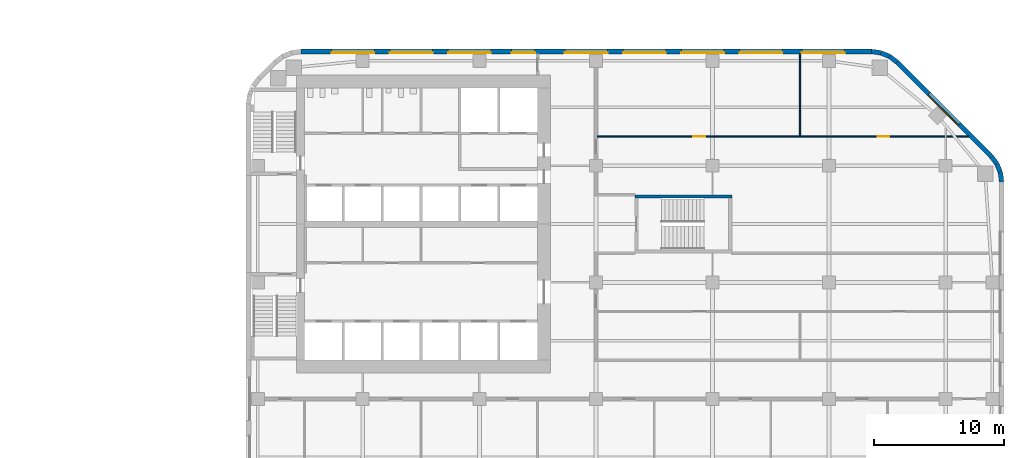
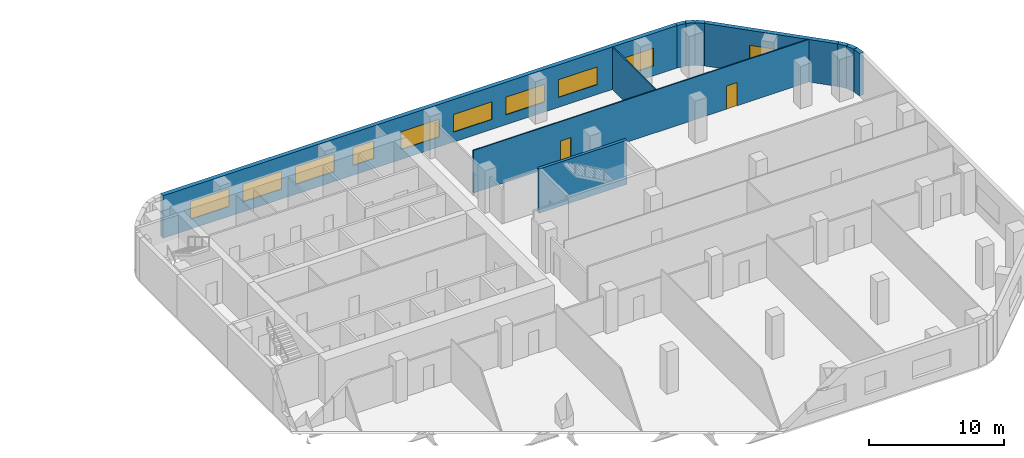
# One storey, part 11 of 15: 11 walls, 10 windows, 2 doors, 12 openings.
"""IFC4 building model written with IfcOpenShell, lengths in metres."""

from ifc_helpers import new_model, si_unit, direction, frame, frame_2d, origin, place, context, subcontext, project, spatial, rectangle, extrude, material, layer, layer_set, type_object, element, fill, save


model = new_model("IFC4")

# Units and contexts
model_context = context("Model", 3, precision=1e-05, world=origin(), true_north=direction((0.0, 1.0)))
body_context = subcontext(model_context, "Body", "Model", "MODEL_VIEW")
ifc_project = project(units=[si_unit("LENGTHUNIT", "METRE"), si_unit("AREAUNIT", "SQUARE_METRE"), si_unit("VOLUMEUNIT", "CUBIC_METRE"), si_unit("PLANEANGLEUNIT", "RADIAN"), si_unit("MASSUNIT", "GRAM", prefix="KILO")], contexts=[model_context])

# Site, building, storey
site_placement = place(None, origin())
site = spatial("IfcSite", under=ifc_project, at=site_placement, CompositionType="ELEMENT")
building_placement = place(site_placement, origin())
building = spatial("IfcBuilding", under=site, at=building_placement, Name="Cinnabar Reach Civic Tower", CompositionType="ELEMENT")
storey_placement = place(building_placement, frame((0.0, 0.0, 87.0)))
storey = spatial("IfcBuildingStorey", under=building, at=storey_placement, Name="L20", CompositionType="ELEMENT", Elevation=87.0)

# Walls
ifc_material_1 = material(Name="Facing brick with insulated backing", Category="masonry")
ifc_layer_1 = layer(ifc_material_1, 0.36)
ifc_layer_set_1 = layer_set([ifc_layer_1], Name="Brick corner wall")
wall_type_1 = type_object("IfcWallType", Name="Brick corner wall", PredefinedType="STANDARD", material=ifc_layer_set_1)
for number, where, z_axis, x_axis, name in (
    (1, (58.317, 34.7686, 0.0), (0.0, 0.0, 1.0), (-0.13055608231, 0.99144092581, 0.0), "Brick corner wall"),
    (2, (58.2181, 35.4973, 0.0), (0.0, 0.0, 1.0), (-0.382702709855, 0.923871547278, 0.0), "Brick corner wall"),
):
    element("IfcWall", number, at=place(storey_placement, frame(where, z_axis=z_axis, x_axis=x_axis)), inside=storey, type_object=wall_type_1, Name=name, PredefinedType="STANDARD", context=body_context, shape_type="SweptSolid", body=[
        extrude(rectangle(XDim=0.7131, YDim=0.36, at=frame_2d((0.3565, 0.0))), origin(), (0.0, 0.0, 1.0), 3.85),
    ])
for number, where, z_axis, x_axis, name in (
    (3, (57.934, 36.1755, 0.0), (0.0, 0.0, 1.0), (-0.608802368033, 0.793321924995, 0.0), "Brick corner wall"),
    (4, (50.2413, 43.9998, 0.0), (0.0, 0.0, 1.0), (-0.793321924995, 0.608802368033, 0.0), "Brick corner wall"),
):
    element("IfcWall", number, at=place(storey_placement, frame(where, z_axis=z_axis, x_axis=x_axis)), inside=storey, type_object=wall_type_1, Name=name, PredefinedType="STANDARD", context=body_context, shape_type="SweptSolid", body=[
        extrude(rectangle(XDim=0.7132, YDim=0.36, at=frame_2d((0.3566, 0.0))), origin(), (0.0, 0.0, 1.0), 3.85),
    ])
for number, where, z_axis, x_axis, name in (
    (5, (49.6561, 44.4452, 0.0), (0.0, 0.0, 1.0), (-0.923871547278, 0.382702709855, 0.0), "Brick corner wall"),
    (6, (48.9756, 44.7239, 0.0), (0.0, 0.0, 1.0), (-0.99144092581, 0.13055608231, 0.0), "Brick corner wall"),
):
    element("IfcWall", number, at=place(storey_placement, frame(where, z_axis=z_axis, x_axis=x_axis)), inside=storey, type_object=wall_type_1, Name=name, PredefinedType="STANDARD", context=body_context, shape_type="SweptSolid", body=[
        extrude(rectangle(XDim=0.7131, YDim=0.36, at=frame_2d((0.3565, 0.0))), origin(), (0.0, 0.0, 1.0), 3.85),
    ])

# Wall, opening, window
ifc_layer_2 = layer(ifc_material_1, 0.36)
ifc_layer_set_2 = layer_set([ifc_layer_2], Name="Brick pier and spandrel wall")
wall_type_2 = type_object("IfcWallType", Name="Brick pier and spandrel wall", PredefinedType="STANDARD", material=ifc_layer_set_2)
wall_1_placement = place(storey_placement, frame((57.494, 36.7514, 0.0), z_axis=(0.0, 0.0, 1.0), x_axis=(-0.707106781187, 0.707106781187, 0.0)))
wall_1 = element("IfcWall", 7, at=wall_1_placement, inside=storey, type_object=wall_type_2, Name="Brick facade wall", PredefinedType="STANDARD", context=body_context, shape_type="SweptSolid", body=[
    extrude(rectangle(XDim=10.2426, YDim=0.36, at=frame_2d((5.1213, 0.0))), origin(), (0.0, 0.0, 1.0), 3.85),
])
opening_1_placement = place(wall_1_placement, frame((3.4713, 0.0, 0.9)))
opening_1 = element("IfcOpeningElement", 8, at=opening_1_placement, cuts=wall_1, Name="Opening W1416", PredefinedType="OPENING", context=body_context, shape_type="SweptSolid", body=[
    extrude(rectangle(XDim=3.3, YDim=1.6, at=frame_2d((1.65, 0.8))), frame((0.0, 0.19, 0.0), z_axis=(0.0, -1.0, 0.0), x_axis=(1.0, 0.0, 0.0)), (0.0, 0.0, 1.0), 0.38),
])
ifc_material_2 = material(Name="Clear double glazing in aluminium frame", Category="aluminium")
window_type_1 = type_object("IfcWindowType", Name="Deep-set window A", PartitioningType="SINGLE_PANEL", PredefinedType="WINDOW", material=ifc_material_2)
window_1_placement = place(opening_1_placement, origin())
window_1 = element("IfcWindow", 9, at=window_1_placement, inside=storey, type_object=window_type_1, Name="Window northeast face", OverallHeight=1.6, OverallWidth=3.3, PartitioningType="SINGLE_PANEL", PredefinedType="WINDOW", context=body_context, shape_type="SweptSolid", body=[
    extrude(rectangle(XDim=3.3, YDim=1.6, at=frame_2d((1.65, 0.8))), frame((0.0, 0.13, 0.0), z_axis=(0.0, -1.0, 0.0), x_axis=(1.0, 0.0, 0.0)), (0.0, 0.0, 1.0), 0.06),
])
fill(opening_1, window_1)

# Wall, openings, windows
wall_2_placement = place(storey_placement, frame((48.2574, 44.82, 0.0), z_axis=(0.0, 0.0, 1.0), x_axis=(-1.0, 0.0, 0.0)))
wall_2 = element("IfcWall", 10, at=wall_2_placement, inside=storey, type_object=wall_type_2, Name="Brick facade wall", PredefinedType="STANDARD", context=body_context, shape_type="SweptSolid", body=[
    extrude(rectangle(XDim=44.0148, YDim=0.36, at=frame_2d((22.0074, 0.0))), origin(), (0.0, 0.0, 1.0), 3.85),
])
opening_2_placement = place(wall_2_placement, frame((2.0574, 0.0, 0.9)))
opening_2 = element("IfcOpeningElement", 11, at=opening_2_placement, cuts=wall_2, Name="Opening W1417", PredefinedType="OPENING", context=body_context, shape_type="SweptSolid", body=[
    extrude(rectangle(XDim=3.3, YDim=1.6, at=frame_2d((1.65, 0.8))), frame((0.0, 0.19, 0.0), z_axis=(0.0, -1.0, 0.0), x_axis=(1.0, 0.0, 0.0)), (0.0, 0.0, 1.0), 0.38),
])
opening_3_placement = place(wall_2_placement, frame((6.8574, 0.0, 0.9)))
opening_3 = element("IfcOpeningElement", 12, at=opening_3_placement, cuts=wall_2, Name="Opening W1418", PredefinedType="OPENING", context=body_context, shape_type="SweptSolid", body=[
    extrude(rectangle(XDim=3.3, YDim=1.6, at=frame_2d((1.65, 0.8))), frame((0.0, 0.19, 0.0), z_axis=(0.0, -1.0, 0.0), x_axis=(1.0, 0.0, 0.0)), (0.0, 0.0, 1.0), 0.38),
])
opening_4_placement = place(wall_2_placement, frame((11.3574, 0.0, 0.9)))
opening_4 = element("IfcOpeningElement", 13, at=opening_4_placement, cuts=wall_2, Name="Opening W1419", PredefinedType="OPENING", context=body_context, shape_type="SweptSolid", body=[
    extrude(rectangle(XDim=3.3, YDim=1.6, at=frame_2d((1.65, 0.8))), frame((0.0, 0.19, 0.0), z_axis=(0.0, -1.0, 0.0), x_axis=(1.0, 0.0, 0.0)), (0.0, 0.0, 1.0), 0.38),
])
opening_5_placement = place(wall_2_placement, frame((15.8574, 0.0, 0.9)))
opening_5 = element("IfcOpeningElement", 14, at=opening_5_placement, cuts=wall_2, Name="Opening W1420", PredefinedType="OPENING", context=body_context, shape_type="SweptSolid", body=[
    extrude(rectangle(XDim=3.3, YDim=1.6, at=frame_2d((1.65, 0.8))), frame((0.0, 0.19, 0.0), z_axis=(0.0, -1.0, 0.0), x_axis=(1.0, 0.0, 0.0)), (0.0, 0.0, 1.0), 0.38),
])
opening_6_placement = place(wall_2_placement, frame((20.3574, 0.0, 0.9)))
opening_6 = element("IfcOpeningElement", 15, at=opening_6_placement, cuts=wall_2, Name="Opening W1421", PredefinedType="OPENING", context=body_context, shape_type="SweptSolid", body=[
    extrude(rectangle(XDim=3.3, YDim=1.6, at=frame_2d((1.65, 0.8))), frame((0.0, 0.19, 0.0), z_axis=(0.0, -1.0, 0.0), x_axis=(1.0, 0.0, 0.0)), (0.0, 0.0, 1.0), 0.38),
])
opening_7_placement = place(wall_2_placement, frame((25.9574, 0.0, 0.9)))
opening_7 = element("IfcOpeningElement", 16, at=opening_7_placement, cuts=wall_2, Name="Opening W1422", PredefinedType="OPENING", context=body_context, shape_type="SweptSolid", body=[
    extrude(rectangle(XDim=1.8, YDim=1.6, at=frame_2d((0.9, 0.8))), frame((0.0, 0.19, 0.0), z_axis=(0.0, -1.0, 0.0), x_axis=(1.0, 0.0, 0.0)), (0.0, 0.0, 1.0), 0.38),
])
opening_8_placement = place(wall_2_placement, frame((29.3574, 0.0, 0.9)))
opening_8 = element("IfcOpeningElement", 17, at=opening_8_placement, cuts=wall_2, Name="Opening W1423", PredefinedType="OPENING", context=body_context, shape_type="SweptSolid", body=[
    extrude(rectangle(XDim=3.3, YDim=1.6, at=frame_2d((1.65, 0.8))), frame((0.0, 0.19, 0.0), z_axis=(0.0, -1.0, 0.0), x_axis=(1.0, 0.0, 0.0)), (0.0, 0.0, 1.0), 0.38),
])
opening_9_placement = place(wall_2_placement, frame((33.8574, 0.0, 0.9)))
opening_9 = element("IfcOpeningElement", 18, at=opening_9_placement, cuts=wall_2, Name="Opening W1424", PredefinedType="OPENING", context=body_context, shape_type="SweptSolid", body=[
    extrude(rectangle(XDim=3.3, YDim=1.6, at=frame_2d((1.65, 0.8))), frame((0.0, 0.19, 0.0), z_axis=(0.0, -1.0, 0.0), x_axis=(1.0, 0.0, 0.0)), (0.0, 0.0, 1.0), 0.38),
])
opening_10_placement = place(wall_2_placement, frame((38.3574, 0.0, 0.9)))
opening_10 = element("IfcOpeningElement", 19, at=opening_10_placement, cuts=wall_2, Name="Opening W1425", PredefinedType="OPENING", context=body_context, shape_type="SweptSolid", body=[
    extrude(rectangle(XDim=3.3, YDim=1.6, at=frame_2d((1.65, 0.8))), frame((0.0, 0.19, 0.0), z_axis=(0.0, -1.0, 0.0), x_axis=(1.0, 0.0, 0.0)), (0.0, 0.0, 1.0), 0.38),
])
window_2_placement = place(opening_2_placement, origin())
window_2 = element("IfcWindow", 20, at=window_2_placement, inside=storey, type_object=window_type_1, Name="Window north face", OverallHeight=1.6, OverallWidth=3.3, PartitioningType="SINGLE_PANEL", PredefinedType="WINDOW", context=body_context, shape_type="SweptSolid", body=[
    extrude(rectangle(XDim=3.3, YDim=1.6, at=frame_2d((1.65, 0.8))), frame((0.0, 0.13, 0.0), z_axis=(0.0, -1.0, 0.0), x_axis=(1.0, 0.0, 0.0)), (0.0, 0.0, 1.0), 0.06),
])
fill(opening_2, window_2)
window_3_placement = place(opening_3_placement, origin())
window_3 = element("IfcWindow", 21, at=window_3_placement, inside=storey, type_object=window_type_1, Name="Window north face", OverallHeight=1.6, OverallWidth=3.3, PartitioningType="SINGLE_PANEL", PredefinedType="WINDOW", context=body_context, shape_type="SweptSolid", body=[
    extrude(rectangle(XDim=3.3, YDim=1.6, at=frame_2d((1.65, 0.8))), frame((0.0, 0.13, 0.0), z_axis=(0.0, -1.0, 0.0), x_axis=(1.0, 0.0, 0.0)), (0.0, 0.0, 1.0), 0.06),
])
fill(opening_3, window_3)
window_4_placement = place(opening_4_placement, origin())
window_4 = element("IfcWindow", 22, at=window_4_placement, inside=storey, type_object=window_type_1, Name="Window north face", OverallHeight=1.6, OverallWidth=3.3, PartitioningType="SINGLE_PANEL", PredefinedType="WINDOW", context=body_context, shape_type="SweptSolid", body=[
    extrude(rectangle(XDim=3.3, YDim=1.6, at=frame_2d((1.65, 0.8))), frame((0.0, 0.13, 0.0), z_axis=(0.0, -1.0, 0.0), x_axis=(1.0, 0.0, 0.0)), (0.0, 0.0, 1.0), 0.06),
])
fill(opening_4, window_4)
window_5_placement = place(opening_5_placement, origin())
window_5 = element("IfcWindow", 23, at=window_5_placement, inside=storey, type_object=window_type_1, Name="Window north face", OverallHeight=1.6, OverallWidth=3.3, PartitioningType="SINGLE_PANEL", PredefinedType="WINDOW", context=body_context, shape_type="SweptSolid", body=[
    extrude(rectangle(XDim=3.3, YDim=1.6, at=frame_2d((1.65, 0.8))), frame((0.0, 0.13, 0.0), z_axis=(0.0, -1.0, 0.0), x_axis=(1.0, 0.0, 0.0)), (0.0, 0.0, 1.0), 0.06),
])
fill(opening_5, window_5)
window_6_placement = place(opening_6_placement, origin())
window_6 = element("IfcWindow", 24, at=window_6_placement, inside=storey, type_object=window_type_1, Name="Window north face", OverallHeight=1.6, OverallWidth=3.3, PartitioningType="SINGLE_PANEL", PredefinedType="WINDOW", context=body_context, shape_type="SweptSolid", body=[
    extrude(rectangle(XDim=3.3, YDim=1.6, at=frame_2d((1.65, 0.8))), frame((0.0, 0.13, 0.0), z_axis=(0.0, -1.0, 0.0), x_axis=(1.0, 0.0, 0.0)), (0.0, 0.0, 1.0), 0.06),
])
fill(opening_6, window_6)
window_7_placement = place(opening_8_placement, origin())
window_7 = element("IfcWindow", 25, at=window_7_placement, inside=storey, type_object=window_type_1, Name="Window north face", OverallHeight=1.6, OverallWidth=3.3, PartitioningType="SINGLE_PANEL", PredefinedType="WINDOW", context=body_context, shape_type="SweptSolid", body=[
    extrude(rectangle(XDim=3.3, YDim=1.6, at=frame_2d((1.65, 0.8))), frame((0.0, 0.13, 0.0), z_axis=(0.0, -1.0, 0.0), x_axis=(1.0, 0.0, 0.0)), (0.0, 0.0, 1.0), 0.06),
])
fill(opening_8, window_7)
window_8_placement = place(opening_9_placement, origin())
window_8 = element("IfcWindow", 26, at=window_8_placement, inside=storey, type_object=window_type_1, Name="Window north face", OverallHeight=1.6, OverallWidth=3.3, PartitioningType="SINGLE_PANEL", PredefinedType="WINDOW", context=body_context, shape_type="SweptSolid", body=[
    extrude(rectangle(XDim=3.3, YDim=1.6, at=frame_2d((1.65, 0.8))), frame((0.0, 0.13, 0.0), z_axis=(0.0, -1.0, 0.0), x_axis=(1.0, 0.0, 0.0)), (0.0, 0.0, 1.0), 0.06),
])
fill(opening_9, window_8)
window_9_placement = place(opening_10_placement, origin())
window_9 = element("IfcWindow", 27, at=window_9_placement, inside=storey, type_object=window_type_1, Name="Window north face", OverallHeight=1.6, OverallWidth=3.3, PartitioningType="SINGLE_PANEL", PredefinedType="WINDOW", context=body_context, shape_type="SweptSolid", body=[
    extrude(rectangle(XDim=3.3, YDim=1.6, at=frame_2d((1.65, 0.8))), frame((0.0, 0.13, 0.0), z_axis=(0.0, -1.0, 0.0), x_axis=(1.0, 0.0, 0.0)), (0.0, 0.0, 1.0), 0.06),
])
fill(opening_10, window_9)
window_type_2 = type_object("IfcWindowType", Name="Deep-set window D", PartitioningType="SINGLE_PANEL", PredefinedType="WINDOW", material=ifc_material_2)
window_10_placement = place(opening_7_placement, origin())
window_10 = element("IfcWindow", 28, at=window_10_placement, inside=storey, type_object=window_type_2, Name="Window north face", OverallHeight=1.6, OverallWidth=1.8, PartitioningType="SINGLE_PANEL", PredefinedType="WINDOW", context=body_context, shape_type="SweptSolid", body=[
    extrude(rectangle(XDim=1.8, YDim=1.6, at=frame_2d((0.9, 0.8))), frame((0.0, 0.13, 0.0), z_axis=(0.0, -1.0, 0.0), x_axis=(1.0, 0.0, 0.0)), (0.0, 0.0, 1.0), 0.06),
])
fill(opening_7, window_10)

# Wall, openings, doors
ifc_material_3 = material(Name="Gypsum board on steel studs", Category="steel")
ifc_layer_3 = layer(ifc_material_3, 0.1)
ifc_layer_set_3 = layer_set([ifc_layer_3], Name="Partition wall 100 T1")
wall_type_3 = type_object("IfcWallType", Name="Partition wall 100 T1", PredefinedType="PARTITIONING", material=ifc_layer_set_3)
wall_3_placement = place(storey_placement, frame((27.075, 38.25, 0.0), z_axis=(0.0, 0.0, 1.0), x_axis=(1.0, 0.0, 0.0)))
wall_3 = element("IfcWall", 29, at=wall_3_placement, inside=storey, type_object=wall_type_3, Name="Partition wall 42", PredefinedType="PARTITIONING", context=body_context, shape_type="SweptSolid", body=[
    extrude(rectangle(XDim=28.7159, YDim=0.1, at=frame_2d((14.358, 0.0))), origin(), (0.0, 0.0, 1.0), 3.85),
])
opening_11_placement = place(wall_3_placement, frame((7.45, 0.0, 0.0)))
opening_11 = element("IfcOpeningElement", 30, at=opening_11_placement, cuts=wall_3, Name="Opening D3829", PredefinedType="OPENING", context=body_context, shape_type="SweptSolid", body=[
    extrude(rectangle(XDim=0.9, YDim=2.1, at=frame_2d((0.45, 1.05))), frame((0.0, 0.06, 0.0), z_axis=(0.0, -1.0, 0.0), x_axis=(1.0, 0.0, 0.0)), (0.0, 0.0, 1.0), 0.12),
])
opening_12_placement = place(wall_3_placement, frame((21.675, 0.0, 0.0)))
opening_12 = element("IfcOpeningElement", 31, at=opening_12_placement, cuts=wall_3, Name="Opening D3830", PredefinedType="OPENING", context=body_context, shape_type="SweptSolid", body=[
    extrude(rectangle(XDim=0.9, YDim=2.1, at=frame_2d((0.45, 1.05))), frame((0.0, 0.06, 0.0), z_axis=(0.0, -1.0, 0.0), x_axis=(1.0, 0.0, 0.0)), (0.0, 0.0, 1.0), 0.12),
])
ifc_material_4 = material(Name="Timber door leaf in steel frame", Category="steel")
door_type = type_object("IfcDoorType", Name="Single swing door 900 x 2100 T1", OperationType="SINGLE_SWING_LEFT", PredefinedType="DOOR", material=ifc_material_4)
door_1_placement = place(opening_11_placement, origin())
door_1 = element("IfcDoor", 32, at=door_1_placement, inside=storey, type_object=door_type, Name="Door D3829", OperationType="SINGLE_SWING_RIGHT", OverallHeight=2.1, OverallWidth=0.9, PredefinedType="DOOR", context=body_context, shape_type="SweptSolid", body=[
    extrude(rectangle(XDim=0.9, YDim=2.1, at=frame_2d((0.45, 1.05))), frame((0.0, 0.025, 0.0), z_axis=(0.0, -1.0, 0.0), x_axis=(1.0, 0.0, 0.0)), (0.0, 0.0, 1.0), 0.05),
])
fill(opening_11, door_1)
door_2_placement = place(opening_12_placement, origin())
door_2 = element("IfcDoor", 33, at=door_2_placement, inside=storey, type_object=door_type, Name="Door D3830", OperationType="SINGLE_SWING_LEFT", OverallHeight=2.1, OverallWidth=0.9, PredefinedType="DOOR", context=body_context, shape_type="SweptSolid", body=[
    extrude(rectangle(XDim=0.9, YDim=2.1, at=frame_2d((0.45, 1.05))), frame((0.0, 0.025, 0.0), z_axis=(0.0, -1.0, 0.0), x_axis=(1.0, 0.0, 0.0)), (0.0, 0.0, 1.0), 0.05),
])
fill(opening_12, door_2)

# Walls
wall_4_placement = place(storey_placement, frame((42.75, 38.3, 0.0), z_axis=(0.0, 0.0, 1.0), x_axis=(0.0, 1.0, 0.0)))
element("IfcWall", 34, at=wall_4_placement, inside=storey, type_object=wall_type_3, Name="Partition wall 49", PredefinedType="PARTITIONING", context=body_context, shape_type="SweptSolid", body=[
    extrude(rectangle(XDim=6.34, YDim=0.1, at=frame_2d((3.17, 0.0))), origin(), (0.0, 0.0, 1.0), 3.85),
])
ifc_material_5 = material(Name="Concrete C60", Category="concrete")
ifc_layer_4 = layer(ifc_material_5, 0.25)
ifc_layer_set_4 = layer_set([ifc_layer_4], Name="Stair shaft wall 250 EI 120")
wall_type_4 = type_object("IfcWallType", Name="Stair shaft wall 250 EI 120", PredefinedType="SOLIDWALL", material=ifc_layer_set_4)
wall_5_placement = place(storey_placement, frame((37.5, 33.625, 0.0), z_axis=(0.0, 0.0, 1.0), x_axis=(-1.0, 0.0, 0.0)))
element("IfcWall", 35, at=wall_5_placement, inside=storey, type_object=wall_type_4, Name="Stair shaft wall T1-S3 L20", PredefinedType="SOLIDWALL", context=body_context, shape_type="SweptSolid", body=[
    extrude(rectangle(XDim=7.5, YDim=0.25, at=frame_2d((3.75, 0.0))), origin(), (0.0, 0.0, 1.0), 4.0),
])

save(model, "model.ifc")
